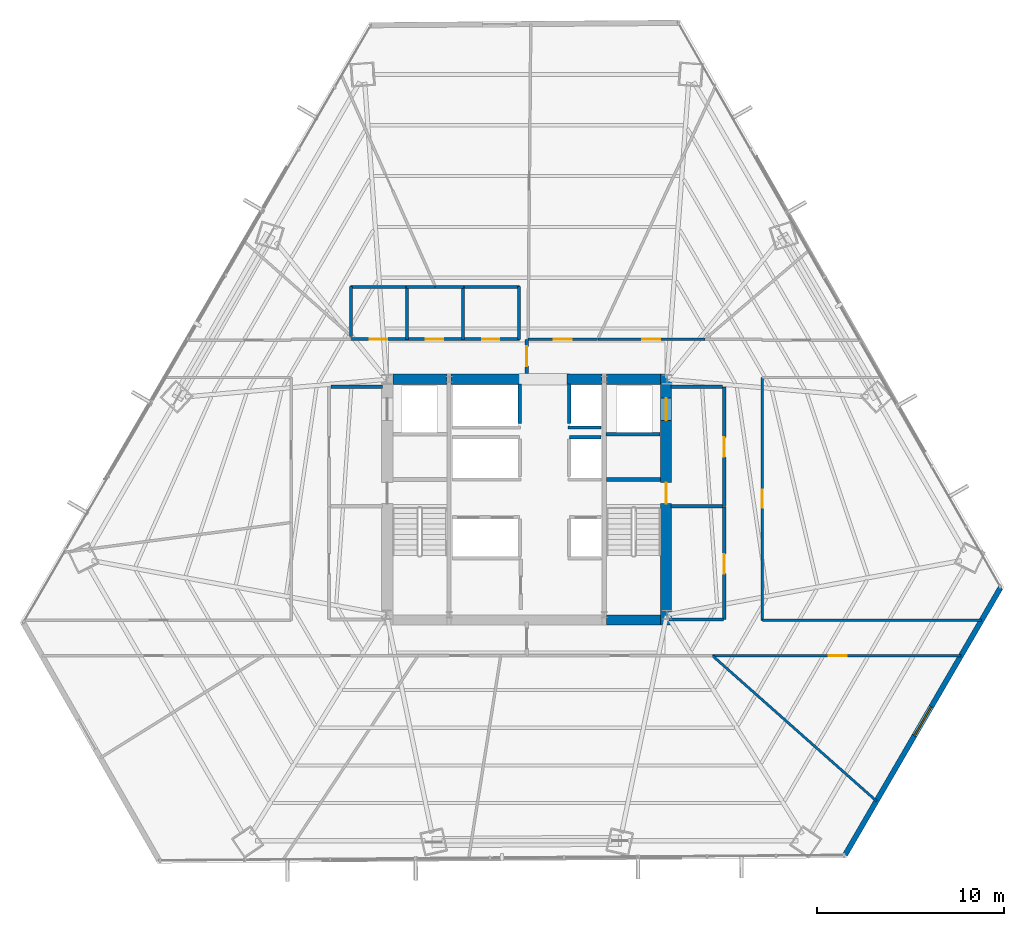
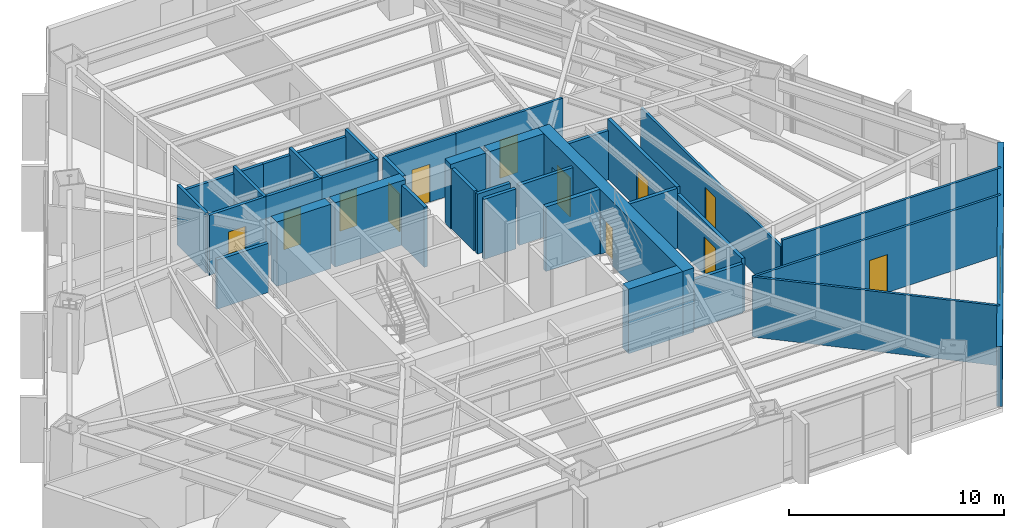
# One storey, part 30 of 34: 37 walls, 12 doors, 1 window, 13 openings.
"""IFC4 building model written with IfcOpenShell, lengths in metres."""

import ifcopenshell
import ifcopenshell.guid

model = None  # the IFC model being written
_history = None  # IfcOwnerHistory: only IFC2X3 demands one
_inside = {}  # id of a spatial element -> (the spatial element, [elements in it])
_under = {}  # id of a project, library or spatial element -> (it, [spatial elements below it])
_declared = {}  # id of a project -> (the project, [libraries it declares])
_typed = {}  # id of a type object -> (the type object, [elements of that type])
_made_of = {}  # id of a material, layer set ... -> (it, [elements and type objects made of it])


def new_model(schema):
    """Start an empty IFC model of exactly this schema.

    Asked for "IFC4X3", IfcOpenShell would pick the latest addendum, in which some entities
    have other attributes; the version numbers below select the first issue.
    IFC2X3 requires an IfcOwnerHistory on every rooted entity: one is made here for all.
    """
    global model, _history
    if schema == "IFC4X3":
        model = ifcopenshell.file(schema_version=(4, 3, 0, 0))
    else:
        model = ifcopenshell.file(schema=schema)
    _inside.clear()
    _under.clear()
    _declared.clear()
    _typed.clear()
    _made_of.clear()
    _history = None
    if model.schema == "IFC2X3":
        org = make("IfcOrganization", Name="unknown")
        user = make(
            "IfcPersonAndOrganization",
            ThePerson=make("IfcPerson", FamilyName="unknown"),
            TheOrganization=org,
        )
        app = make(
            "IfcApplication",
            ApplicationDeveloper=org,
            Version="unknown",
            ApplicationFullName="unknown",
            ApplicationIdentifier="unknown",
        )
        _history = make(
            "IfcOwnerHistory",
            OwningUser=user,
            OwningApplication=app,
            ChangeAction="ADDED",
            CreationDate=0,
        )
    return model


def make(cls, **values):
    """One entity of the class cls with the attributes given. An attribute that is None is left unset."""
    return model.create_entity(
        cls, **{name: value for name, value in values.items() if value is not None}
    )


def rooted(cls, **values):
    """An entity with a GlobalId (a new one), such as an element, a storey or a relation."""
    return make(cls, GlobalId=ifcopenshell.guid.new(), OwnerHistory=_history, **values)


def si_unit(unit_type, name, prefix=None):
    """IfcSIUnit, for example si_unit("LENGTHUNIT", "METRE", prefix="MILLI")."""
    return make("IfcSIUnit", UnitType=unit_type, Prefix=prefix, Name=name)


def assignment(units):
    """IfcUnitAssignment: the units of a project."""
    return None if units is None else make("IfcUnitAssignment", Units=units)


def point(xyz):
    """IfcCartesianPoint."""
    return None if xyz is None else make("IfcCartesianPoint", Coordinates=xyz)


def direction(xyz):
    """IfcDirection."""
    return None if xyz is None else make("IfcDirection", DirectionRatios=xyz)


def frame(location, z_axis=None, x_axis=None):
    """IfcAxis2Placement3D, a coordinate frame: its origin and axes. An axis left out is left unset."""
    return make(
        "IfcAxis2Placement3D",
        Location=point(location),
        Axis=direction(z_axis),
        RefDirection=direction(x_axis),
    )


def frame_2d(location, x_axis=None):
    """IfcAxis2Placement2D, a coordinate frame in the plane: its origin and x axis."""
    return make(
        "IfcAxis2Placement2D", Location=point(location), RefDirection=direction(x_axis)
    )


def origin():
    """The frame at (0, 0, 0) with its axes left unset."""
    return frame((0.0, 0.0, 0.0))


def place(relative_to, where):
    """IfcLocalPlacement: puts the frame where relative to a parent placement (None: the world)."""
    return make(
        "IfcLocalPlacement", PlacementRelTo=relative_to, RelativePlacement=where
    )


def context(
    kind, dimensions, precision=None, world=None, true_north=None, identifier=None
):
    """IfcGeometricRepresentationContext, for example the 3D "Model" context."""
    return make(
        "IfcGeometricRepresentationContext",
        ContextIdentifier=identifier,
        ContextType=kind,
        CoordinateSpaceDimension=dimensions,
        Precision=precision,
        WorldCoordinateSystem=world,
        TrueNorth=true_north,
    )


def subcontext(parent, identifier, kind, view, scale=None):
    """IfcGeometricRepresentationSubContext, for example "Body" below "Model"."""
    return make(
        "IfcGeometricRepresentationSubContext",
        ContextIdentifier=identifier,
        ContextType=kind,
        ParentContext=parent,
        TargetScale=scale,
        TargetView=view,
    )


def project(units=None, contexts=None):
    """IfcProject with its units and contexts."""
    return rooted(
        "IfcProject",
        Name="project",
        RepresentationContexts=contexts,
        UnitsInContext=assignment(units),
    )


def spatial(cls, under=None, at=None, **own):
    """A site, building, storey or space (cls), placed at a placement, below another one or the project."""
    s = rooted(cls, ObjectPlacement=at, **own)
    if under is not None:
        _under.setdefault(under.id(), (under, []))[1].append(s)
    return s


def profile(cls, at=None, kind="AREA", **sizes):
    """A parametric profile (cls). Its sizes go by their IFC names, for example OverallWidth=200.0."""
    return make(cls, ProfileType=kind, Position=at, **sizes)


def rectangle(**sizes):
    """IfcRectangleProfileDef."""
    return profile("IfcRectangleProfileDef", **sizes)


def extrude(swept, where, along, depth):
    """IfcExtrudedAreaSolid: the profile swept, set in the frame where, extruded along a direction by depth."""
    return make(
        "IfcExtrudedAreaSolid",
        SweptArea=swept,
        Position=where,
        ExtrudedDirection=direction(along),
        Depth=depth,
    )


def shape(context_of_items, identifier, shape_type, items):
    """IfcShapeRepresentation: the items that make up one representation, for example the "Body"."""
    return make(
        "IfcShapeRepresentation",
        ContextOfItems=context_of_items,
        RepresentationIdentifier=identifier,
        RepresentationType=shape_type,
        Items=items,
    )


def material(Name=None, Category=None):
    """IfcMaterial."""
    return make("IfcMaterial", Name=Name, Category=Category)


def layer(
    of_material, thickness, ventilated=None, Name=None, Category=None, Priority=None
):
    """IfcMaterialLayer: one layer of a wall or slab, of a material (None: an air gap)."""
    return make(
        "IfcMaterialLayer",
        Material=of_material,
        LayerThickness=thickness,
        IsVentilated=ventilated,
        Name=Name,
        Category=Category,
        Priority=Priority,
    )


def layer_set(layers, Name=None):
    """IfcMaterialLayerSet."""
    return make("IfcMaterialLayerSet", MaterialLayers=layers, LayerSetName=Name)


def made_of(thing, what):
    """Note that an element or type object is made of a material, layer set ...; save() writes the relation."""
    if what is not None:
        _made_of.setdefault(what.id(), (what, []))[1].append(thing)
    return thing


def type_object(cls, material=None, **own):
    """A type object (cls), such as IfcWallType, which elements share."""
    return made_of(rooted(cls, **own), material)


def element(
    cls,
    number,
    at=None,
    inside=None,
    cuts=None,
    type_object=None,
    material=None,
    context=None,
    identifier="Body",
    shape_type=None,
    held_by="IfcProductDefinitionShape",
    body=None,
    shapes=None,
    **own,
):
    """One element of the class cls, such as IfcWall. Its Tag is "e" and its number.

    at: its placement. inside: the storey or other place that contains it. cuts: it is an
    opening in that element (IfcRelVoidsElement). A single representation is given by context,
    identifier, shape_type and body (its items); several are given by shapes. held_by: the class
    of the entity that holds the representations. save() writes the other relations.
    """
    e = rooted(cls, Tag="e%d" % number, ObjectPlacement=at, **own)
    if body is not None:
        shapes = [shape(context, identifier, shape_type, body)]
    if shapes is not None:
        e.Representation = make(held_by, Representations=shapes)
    if inside is not None:
        _inside.setdefault(inside.id(), (inside, []))[1].append(e)
    if cuts is not None:
        rooted(
            "IfcRelVoidsElement", RelatingBuildingElement=cuts, RelatedOpeningElement=e
        )
    if type_object is not None:
        _typed.setdefault(type_object.id(), (type_object, []))[1].append(e)
    return made_of(e, material)


def fill(opening, filler):
    """IfcRelFillsElement: the door or window that sits in an opening."""
    return rooted(
        "IfcRelFillsElement",
        RelatingOpeningElement=opening,
        RelatedBuildingElement=filler,
    )


def aggregate(whole, parts):
    """IfcRelAggregates: a whole, such as a stair, and the parts it consists of."""
    return rooted("IfcRelAggregates", RelatingObject=whole, RelatedObjects=parts)


def save(model, path):
    """Write the relations noted so far, then the file.

    IfcRelAggregates (storeys below a building ...), IfcRelContainedInSpatialStructure (elements
    in a storey), IfcRelDefinesByType, IfcRelAssociatesMaterial and IfcRelDeclares: one each for
    every whole, place, type object, material and project.
    """
    for whole, parts in _under.values():
        aggregate(whole, parts)
    for where, things in _inside.values():
        rooted(
            "IfcRelContainedInSpatialStructure",
            RelatedElements=things,
            RelatingStructure=where,
        )
    for kind, things in _typed.values():
        rooted("IfcRelDefinesByType", RelatedObjects=things, RelatingType=kind)
    for what, things in _made_of.values():
        rooted("IfcRelAssociatesMaterial", RelatedObjects=things, RelatingMaterial=what)
    for by, libraries in _declared.values():
        rooted("IfcRelDeclares", RelatingContext=by, RelatedDefinitions=libraries)
    model.write(path)


model = new_model("IFC4")

# Units and contexts
model_context = context("Model", 3, precision=1e-05, world=origin(), true_north=direction((0.0, 1.0)))
body_context = subcontext(model_context, "Body", "Model", "MODEL_VIEW")
ifc_project = project(units=[si_unit("LENGTHUNIT", "METRE"), si_unit("AREAUNIT", "SQUARE_METRE"), si_unit("VOLUMEUNIT", "CUBIC_METRE"), si_unit("PLANEANGLEUNIT", "RADIAN"), si_unit("MASSUNIT", "GRAM", prefix="KILO")], contexts=[model_context])

# Site, building, storey
site_placement = place(None, origin())
site = spatial("IfcSite", under=ifc_project, at=site_placement, CompositionType="ELEMENT")
building_placement = place(site_placement, origin())
building = spatial("IfcBuilding", under=site, at=building_placement, Name="Caelisora Broadcast Tower", CompositionType="ELEMENT")
storey_placement = place(building_placement, frame((0.0, 0.0, 49.5)))
storey = spatial("IfcBuildingStorey", under=building, at=storey_placement, Name="L12", CompositionType="ELEMENT", Elevation=49.5)

# Wall, openings, doors
ifc_material_1 = material(Name="Concrete 65 MPa (AS 3600 S65)", Category="concrete")
ifc_layer_1 = layer(ifc_material_1, 0.60009765625, Name="Concrete 65 MPa (AS 3600 S65)")
ifc_layer_set_1 = layer_set([ifc_layer_1], Name="Concrete 65 MPa (AS 3600 S65)")
wall_type_1 = type_object("IfcWallType", Name="CW1", PredefinedType="SHEAR", material=ifc_layer_set_1)
wall_1_placement = place(storey_placement, frame((45.4599609375, 16.85009765625, 0.0), z_axis=(0.0, 0.0, 1.0), x_axis=(0.0, 1.0, 0.0)))
wall_1 = element("IfcWall", 1, at=wall_1_placement, inside=storey, type_object=wall_type_1, Name="L12 core shear wall CW1", PredefinedType="SHEAR", context=body_context, shape_type="SweptSolid", body=[
    extrude(rectangle(XDim=13.4248046875, YDim=0.60009765625, at=frame_2d((6.71240234375, 0.0))), origin(), (0.0, 0.0, 1.0), 3.64990234375),
])
opening_1_placement = place(wall_1_placement, frame((6.5, 0.0, 0.0)))
opening_1 = element("IfcOpeningElement", 2, at=opening_1_placement, cuts=wall_1, Name="Opening FD04", PredefinedType="OPENING", context=body_context, shape_type="SweptSolid", body=[
    extrude(rectangle(XDim=1.1201171875, YDim=2.14990234375, at=frame_2d((0.56005859375, 1.074951171875))), frame((0.0, 0.31201171875, 0.0), z_axis=(0.0, -1.0, 0.0), x_axis=(1.0, 0.0, 0.0)), (0.0, 0.0, 1.0), 0.6240234375),
])
opening_2_placement = place(wall_1_placement, frame((10.949951171875, 0.0, 0.0)))
opening_2 = element("IfcOpeningElement", 3, at=opening_2_placement, cuts=wall_1, Name="Opening LD04", PredefinedType="OPENING", context=body_context, shape_type="SweptSolid", body=[
    extrude(rectangle(XDim=1.199951171875, YDim=2.199951171875, at=frame_2d((0.60009765625, 1.10009765625))), frame((0.0, 0.31201171875, 0.0), z_axis=(0.0, -1.0, 0.0), x_axis=(1.0, 0.0, 0.0)), (0.0, 0.0, 1.0), 0.6240234375),
])
ifc_material_2 = material(Name="Pressurised Fire-Isolated Stair Door", Category="steel")
door_type_1 = type_object("IfcDoorType", Name="FD04", OperationType="NOTDEFINED", PredefinedType="DOOR", material=ifc_material_2)
door_1_placement = place(opening_1_placement, origin())
door_1 = element("IfcDoor", 4, at=door_1_placement, inside=storey, type_object=door_type_1, Name="L12 door FD04 (L12-DR-ST2)", OperationType="SINGLE_SWING_RIGHT", OverallHeight=2.14990234375, OverallWidth=1.1201171875, PredefinedType="DOOR", context=body_context, shape_type="SweptSolid", body=[
    extrude(rectangle(XDim=1.1201171875, YDim=2.14990234375, at=frame_2d((0.56005859375, 1.074951171875))), frame((0.0, 0.02490234375, 0.0), z_axis=(0.0, -1.0, 0.0), x_axis=(1.0, 0.0, 0.0)), (0.0, 0.0, 1.0), 0.050048828125),
])
fill(opening_1, door_1)
ifc_material_3 = material(Name="Emergency Firefighting Lift Sliding Landing Door", Category="steel")
door_type_2 = type_object("IfcDoorType", Name="LD04", OperationType="NOTDEFINED", PredefinedType="DOOR", material=ifc_material_3)
door_2_placement = place(opening_2_placement, origin())
door_2 = element("IfcDoor", 5, at=door_2_placement, inside=storey, type_object=door_type_2, Name="L12 door LD04 (L12-LD-FFL2)", OperationType="SLIDING_TO_RIGHT", OverallHeight=2.199951171875, OverallWidth=1.199951171875, PredefinedType="DOOR", context=body_context, shape_type="SweptSolid", body=[
    extrude(rectangle(XDim=1.199951171875, YDim=2.199951171875, at=frame_2d((0.60009765625, 1.10009765625))), frame((0.0, 0.02490234375, 0.0), z_axis=(0.0, -1.0, 0.0), x_axis=(1.0, 0.0, 0.0)), (0.0, 0.0, 1.0), 0.050048828125),
])
fill(opening_2, door_2)

# Walls
ifc_layer_2 = layer(ifc_material_1, 0.550048828125, Name="Concrete 65 MPa (AS 3600 S65)")
ifc_layer_set_2 = layer_set([ifc_layer_2], Name="Concrete 65 MPa (AS 3600 S65)")
wall_type_2 = type_object("IfcWallType", Name="CW4", PredefinedType="SHEAR", material=ifc_layer_set_2)
for number, where, z_axis, x_axis, name in (
    (6, (42.260009765625, 17.125, 0.0), (0.0, 0.0, 1.0), (1.0, 0.0, 0.0), "L12 core shear wall CW4"),
    (7, (30.840087890625, 30.0, 0.0), (0.0, 0.0, 1.0), (1.0, 0.0, 0.0), "L12 core shear wall CW4"),
):
    element("IfcWall", number, at=place(storey_placement, frame(where, z_axis=z_axis, x_axis=x_axis)), inside=storey, type_object=wall_type_2, Name=name, PredefinedType="SHEAR", context=body_context, shape_type="SweptSolid", body=[
        extrude(rectangle(XDim=2.89990234375, YDim=0.550048828125, at=frame_2d((1.449951171875, 0.0))), origin(), (0.0, 0.0, 1.0), 3.64990234375),
    ])
wall_2_placement = place(storey_placement, frame((33.9599609375, 30.0, 0.0), z_axis=(0.0, 0.0, 1.0), x_axis=(1.0, 0.0, 0.0)))
element("IfcWall", 8, at=wall_2_placement, inside=storey, type_object=wall_type_2, Name="L12 core shear wall CW4", PredefinedType="SHEAR", context=body_context, shape_type="SweptSolid", body=[
    extrude(rectangle(XDim=3.780029296875, YDim=0.550048828125, at=frame_2d((1.89013671875, 0.0))), origin(), (0.0, 0.0, 1.0), 3.64990234375),
])
wall_3_placement = place(storey_placement, frame((40.159912109375, 30.0, 0.0), z_axis=(0.0, 0.0, 1.0), x_axis=(1.0, 0.0, 0.0)))
element("IfcWall", 9, at=wall_3_placement, inside=storey, type_object=wall_type_2, Name="L12 core shear wall CW4", PredefinedType="SHEAR", context=body_context, shape_type="SweptSolid", body=[
    extrude(rectangle(XDim=1.880126953125, YDim=0.550048828125, at=frame_2d((0.93994140625, 0.0))), origin(), (0.0, 0.0, 1.0), 3.64990234375),
])
wall_4_placement = place(storey_placement, frame((42.260009765625, 30.0, 0.0), z_axis=(0.0, 0.0, 1.0), x_axis=(1.0, 0.0, 0.0)))
element("IfcWall", 10, at=wall_4_placement, inside=storey, type_object=wall_type_2, Name="L12 core shear wall CW4", PredefinedType="SHEAR", context=body_context, shape_type="SweptSolid", body=[
    extrude(rectangle(XDim=2.89990234375, YDim=0.550048828125, at=frame_2d((1.449951171875, 0.0))), origin(), (0.0, 0.0, 1.0), 3.64990234375),
])
ifc_material_4 = material(Name="Concrete 50 MPa (AS 3600 S50)", Category="concrete")
ifc_layer_3 = layer(ifc_material_4, 0.219970703125, Name="Concrete 50 MPa (AS 3600 S50)")
ifc_layer_set_3 = layer_set([ifc_layer_3], Name="Concrete 50 MPa (AS 3600 S50)")
wall_type_3 = type_object("IfcWallType", Name="CW7", PredefinedType="SHEAR", material=ifc_layer_set_3)
wall_5_placement = place(storey_placement, frame((42.260009765625, 24.639892578125, 0.0), z_axis=(0.0, 0.0, 1.0), x_axis=(1.0, 0.0, 0.0)))
element("IfcWall", 11, at=wall_5_placement, inside=storey, type_object=wall_type_3, Name="L12 core shear wall CW7", PredefinedType="SHEAR", context=body_context, shape_type="SweptSolid", body=[
    extrude(rectangle(XDim=2.89990234375, YDim=0.219970703125, at=frame_2d((1.449951171875, 0.0))), origin(), (0.0, 0.0, 1.0), 3.64990234375),
])

# Wall, opening, window
ifc_material_5 = material(Name="Insulated Terracotta Spandrel Wall System", Category="masonry")
ifc_layer_4 = layer(ifc_material_5, 0.280029296875, Name="Insulated Terracotta Spandrel Wall System")
ifc_layer_set_4 = layer_set([ifc_layer_4], Name="Insulated Terracotta Spandrel Wall System")
wall_type_4 = type_object("IfcWallType", Name="EW1", PredefinedType="STANDARD", material=ifc_layer_set_4)
wall_6_placement = place(storey_placement, frame((63.35400390625, 18.84716796875, 0.0), z_axis=(0.0, 0.0, 1.0), x_axis=(-0.502874914108, -0.864359196608, 0.0)))
wall_6 = element("IfcWall", 12, at=wall_6_placement, inside=storey, type_object=wall_type_4, Name="L12 exterior envelope wall EW1", PredefinedType="STANDARD", context=body_context, shape_type="SweptSolid", body=[
    extrude(rectangle(XDim=16.524658203125, YDim=0.280029296875, at=frame_2d((8.26220703125, 0.0))), origin(), (0.0, 0.0, 1.0), 3.39990234375),
])
opening_3_placement = place(wall_6_placement, frame((7.360107421875, 0.0, 0.89990234375)))
opening_3 = element("IfcOpeningElement", 13, at=opening_3_placement, cuts=wall_6, Name="Opening W01", PredefinedType="OPENING", context=body_context, shape_type="SweptSolid", body=[
    extrude(rectangle(XDim=1.800048828125, YDim=1.800048828125, at=frame_2d((0.89990234375, 0.89990234375))), frame((0.0, 0.152099609375, 0.0), z_axis=(0.0, -1.0, 0.0), x_axis=(1.0, 0.0, 0.0)), (0.0, 0.0, 1.0), 0.303955078125),
])
ifc_material_6 = material(Name="Double Glazed Terracotta-Framed Vision Window", Category="glass")
window_type = type_object("IfcWindowType", Name="W01", PartitioningType="SINGLE_PANEL", PredefinedType="WINDOW", material=ifc_material_6)
window_placement = place(opening_3_placement, origin())
window = element("IfcWindow", 14, at=window_placement, inside=storey, type_object=window_type, Name="L12 window W01 (L12-WN-CH0)", OverallHeight=1.800048828125, OverallWidth=1.800048828125, PartitioningType="SINGLE_PANEL", PredefinedType="WINDOW", context=body_context, shape_type="SweptSolid", body=[
    extrude(rectangle(XDim=1.800048828125, YDim=1.800048828125, at=frame_2d((0.89990234375, 0.89990234375))), frame((0.0, 0.030029296875, 0.0), z_axis=(0.0, -1.0, 0.0), x_axis=(1.0, 0.0, 0.0)), (0.0, 0.0, 1.0), 0.06005859375),
])
fill(opening_3, window)

# Walls
ifc_material_7 = material(Name="Fire-Rated Gypsum Shaft and Compartment Wall", Category="gypsum")
ifc_layer_5 = layer(ifc_material_7, 0.179931640625, Name="Fire-Rated Gypsum Shaft and Compartment Wall")
ifc_layer_set_5 = layer_set([ifc_layer_5], Name="Fire-Rated Gypsum Shaft and Compartment Wall")
wall_type_5 = type_object("IfcWallType", Name="PW2", PredefinedType="PARTITIONING", material=ifc_layer_set_5)
wall_7_placement = place(storey_placement, frame((40.280029296875, 26.89990234375, 0.0), z_axis=(0.0, 0.0, 1.0), x_axis=(1.0, 0.0, 0.0)))
element("IfcWall", 15, at=wall_7_placement, inside=storey, type_object=wall_type_5, Name="L12 fire compartment wall PW2", PredefinedType="PARTITIONING", context=body_context, shape_type="SweptSolid", body=[
    extrude(rectangle(XDim=1.699951171875, YDim=0.179931640625, at=frame_2d((0.85009765625, 0.0))), origin(), (0.0, 0.0, 1.0), 3.39990234375),
])
wall_8_placement = place(storey_placement, frame((40.219970703125, 27.419921875, 0.0), z_axis=(0.0, 0.0, 1.0), x_axis=(1.0, 0.0, 0.0)))
element("IfcWall", 16, at=wall_8_placement, inside=storey, type_object=wall_type_5, Name="L12 fire compartment wall PW2", PredefinedType="PARTITIONING", context=body_context, shape_type="SweptSolid", body=[
    extrude(rectangle(XDim=1.760009765625, YDim=0.179931640625, at=frame_2d((0.8798828125, 0.0))), origin(), (0.0, 0.0, 1.0), 3.39990234375),
])
for number, where, z_axis, x_axis, name in (
    (17, (37.6201171875, 27.639892578125, 0.0), (0.0, 0.0, 1.0), (0.0, 1.0, 0.0), "L12 fire compartment wall PW2"),
    (18, (40.280029296875, 27.639892578125, 0.0), (0.0, 0.0, 1.0), (0.0, 1.0, 0.0), "L12 fire compartment wall PW2"),
):
    element("IfcWall", number, at=place(storey_placement, frame(where, z_axis=z_axis, x_axis=x_axis)), inside=storey, type_object=wall_type_5, Name=name, PredefinedType="PARTITIONING", context=body_context, shape_type="SweptSolid", body=[
        extrude(rectangle(XDim=2.110107421875, YDim=0.179931640625, at=frame_2d((1.05517578125, 0.0))), origin(), (0.0, 0.0, 1.0), 3.39990234375),
    ])
wall_9_placement = place(storey_placement, frame((27.52001953125, 29.60009765625, 0.0), z_axis=(0.0, 0.0, 1.0), x_axis=(1.0, 0.0, 0.0)))
element("IfcWall", 19, at=wall_9_placement, inside=storey, type_object=wall_type_5, Name="L12 fire compartment wall PW2", PredefinedType="PARTITIONING", context=body_context, shape_type="SweptSolid", body=[
    extrude(rectangle(XDim=2.760009765625, YDim=0.179931640625, at=frame_2d((1.3798828125, 0.0))), origin(), (0.0, 0.0, 1.0), 2.78271484375),
])

# Wall, opening, door
wall_10_placement = place(storey_placement, frame((48.580078125, 23.199951171875, 0.0), z_axis=(0.0, 0.0, 1.0), x_axis=(0.0, 1.0, 0.0)))
wall_10 = element("IfcWall", 20, at=wall_10_placement, inside=storey, type_object=wall_type_5, Name="L12 fire compartment wall PW2", PredefinedType="PARTITIONING", context=body_context, shape_type="SweptSolid", body=[
    extrude(rectangle(XDim=6.400146484375, YDim=0.179931640625, at=frame_2d((3.2001953125, 0.0))), origin(), (0.0, 0.0, 1.0), 3.39990234375),
])
opening_4_placement = place(wall_10_placement, frame((2.64990234375, 0.0, 0.0)))
opening_4 = element("IfcOpeningElement", 21, at=opening_4_placement, cuts=wall_10, Name="Opening FD02", PredefinedType="OPENING", context=body_context, shape_type="SweptSolid", body=[
    extrude(rectangle(XDim=1.050048828125, YDim=2.14990234375, at=frame_2d((0.52490234375, 1.074951171875))), frame((0.0, 0.10205078125, 0.0), z_axis=(0.0, -1.0, 0.0), x_axis=(1.0, 0.0, 0.0)), (0.0, 0.0, 1.0), 0.203857421875),
])
ifc_material_8 = material(Name="Single-Leaf Steel Fire Lobby Door", Category="steel")
door_type_3 = type_object("IfcDoorType", Name="FD02", OperationType="NOTDEFINED", PredefinedType="DOOR", material=ifc_material_8)
door_3_placement = place(opening_4_placement, origin())
door_3 = element("IfcDoor", 22, at=door_3_placement, inside=storey, type_object=door_type_3, Name="L12 door FD02 (L12-DR-P04D1)", OperationType="SINGLE_SWING_RIGHT", OverallHeight=2.14990234375, OverallWidth=1.050048828125, PredefinedType="DOOR", context=body_context, shape_type="SweptSolid", body=[
    extrude(rectangle(XDim=1.050048828125, YDim=2.14990234375, at=frame_2d((0.52490234375, 1.074951171875))), frame((0.0, 0.02490234375, 0.0), z_axis=(0.0, -1.0, 0.0), x_axis=(1.0, 0.0, 0.0)), (0.0, 0.0, 1.0), 0.050048828125),
])
fill(opening_4, door_3)

# Walls
wall_11_placement = place(storey_placement, frame((45.719970703125, 23.199951171875, 0.0), z_axis=(0.0, 0.0, 1.0), x_axis=(1.0, 0.0, 0.0)))
element("IfcWall", 23, at=wall_11_placement, inside=storey, type_object=wall_type_5, Name="L12 fire compartment wall PW2", PredefinedType="PARTITIONING", context=body_context, shape_type="SweptSolid", body=[
    extrude(rectangle(XDim=2.760009765625, YDim=0.179931640625, at=frame_2d((1.3798828125, 0.0))), origin(), (0.0, 0.0, 1.0), 3.39990234375),
])
wall_12_placement = place(storey_placement, frame((45.719970703125, 29.60009765625, 0.0), z_axis=(0.0, 0.0, 1.0), x_axis=(1.0, 0.0, 0.0)))
element("IfcWall", 24, at=wall_12_placement, inside=storey, type_object=wall_type_5, Name="L12 fire compartment wall PW2", PredefinedType="PARTITIONING", context=body_context, shape_type="SweptSolid", body=[
    extrude(rectangle(XDim=2.760009765625, YDim=0.179931640625, at=frame_2d((1.3798828125, 0.0))), origin(), (0.0, 0.0, 1.0), 2.78271484375),
])
wall_13_placement = place(storey_placement, frame((42.239990234375, 27.070068359375, 0.0), z_axis=(0.0, 0.0, 1.0), x_axis=(1.0, 0.0, 0.0)))
element("IfcWall", 25, at=wall_13_placement, inside=storey, type_object=wall_type_5, Name="L12 fire compartment wall PW2", PredefinedType="PARTITIONING", context=body_context, shape_type="SweptSolid", body=[
    extrude(rectangle(XDim=2.89990234375, YDim=0.179931640625, at=frame_2d((1.449951171875, 0.0))), origin(), (0.0, 0.0, 1.0), 3.39990234375),
])

# Wall, opening, door
wall_14_placement = place(storey_placement, frame((48.580078125, 17.14990234375, 0.0), z_axis=(0.0, 0.0, 1.0), x_axis=(0.0, 1.0, 0.0)))
wall_14 = element("IfcWall", 26, at=wall_14_placement, inside=storey, type_object=wall_type_5, Name="L12 fire compartment wall PW2", PredefinedType="PARTITIONING", context=body_context, shape_type="SweptSolid", body=[
    extrude(rectangle(XDim=6.030029296875, YDim=0.179931640625, at=frame_2d((3.01513671875, 0.0))), origin(), (0.0, 0.0, 1.0), 3.0263671875),
])
opening_5_placement = place(wall_14_placement, frame((2.449951171875, 0.0, 0.0)))
opening_5 = element("IfcOpeningElement", 27, at=opening_5_placement, cuts=wall_14, Name="Opening FD02", PredefinedType="OPENING", context=body_context, shape_type="SweptSolid", body=[
    extrude(rectangle(XDim=1.050048828125, YDim=2.14990234375, at=frame_2d((0.52490234375, 1.074951171875))), frame((0.0, 0.10205078125, 0.0), z_axis=(0.0, -1.0, 0.0), x_axis=(1.0, 0.0, 0.0)), (0.0, 0.0, 1.0), 0.203857421875),
])
door_4_placement = place(opening_5_placement, origin())
door_4 = element("IfcDoor", 28, at=door_4_placement, inside=storey, type_object=door_type_3, Name="L12 door FD02 (L12-DR-P14D1)", OperationType="SINGLE_SWING_LEFT", OverallHeight=2.14990234375, OverallWidth=1.050048828125, PredefinedType="DOOR", context=body_context, shape_type="SweptSolid", body=[
    extrude(rectangle(XDim=1.050048828125, YDim=2.14990234375, at=frame_2d((0.52490234375, 1.074951171875))), frame((0.0, 0.02490234375, 0.0), z_axis=(0.0, -1.0, 0.0), x_axis=(1.0, 0.0, 0.0)), (0.0, 0.0, 1.0), 0.050048828125),
])
fill(opening_5, door_4)

# Wall
wall_15_placement = place(storey_placement, frame((45.6201171875, 17.14990234375, 0.0), z_axis=(0.0, 0.0, 1.0), x_axis=(1.0, 0.0, 0.0)))
element("IfcWall", 29, at=wall_15_placement, inside=storey, type_object=wall_type_5, Name="L12 fire compartment wall PW2", PredefinedType="PARTITIONING", context=body_context, shape_type="SweptSolid", body=[
    extrude(rectangle(XDim=2.89990234375, YDim=0.179931640625, at=frame_2d((1.449951171875, 0.0))), origin(), (0.0, 0.0, 1.0), 2.78271484375),
])

# Wall, opening, door
wall_16_placement = place(storey_placement, frame((38.0, 30.320068359375, 0.0), z_axis=(0.0, 0.0, 1.0), x_axis=(0.0, 1.0, 0.0)))
wall_16 = element("IfcWall", 30, at=wall_16_placement, inside=storey, type_object=wall_type_5, Name="L12 fire compartment wall PW2", PredefinedType="PARTITIONING", context=body_context, shape_type="SweptSolid", body=[
    extrude(rectangle(XDim=1.824951171875, YDim=0.179931640625, at=frame_2d((0.91259765625, 0.0))), origin(), (0.0, 0.0, 1.0), 3.39990234375),
])
opening_6_placement = place(wall_16_placement, frame((0.387939453125, 0.0, 0.0)))
opening_6 = element("IfcOpeningElement", 31, at=opening_6_placement, cuts=wall_16, Name="Opening FD02", PredefinedType="OPENING", context=body_context, shape_type="SweptSolid", body=[
    extrude(rectangle(XDim=1.050048828125, YDim=2.14990234375, at=frame_2d((0.52490234375, 1.074951171875))), frame((0.0, 0.10205078125, 0.0), z_axis=(0.0, -1.0, 0.0), x_axis=(1.0, 0.0, 0.0)), (0.0, 0.0, 1.0), 0.203857421875),
])
door_5_placement = place(opening_6_placement, origin())
door_5 = element("IfcDoor", 32, at=door_5_placement, inside=storey, type_object=door_type_3, Name="L12 door FD02 (L12-DR-P56D1)", OperationType="SINGLE_SWING_RIGHT", OverallHeight=2.14990234375, OverallWidth=1.050048828125, PredefinedType="DOOR", context=body_context, shape_type="SweptSolid", body=[
    extrude(rectangle(XDim=1.050048828125, YDim=2.14990234375, at=frame_2d((0.52490234375, 1.074951171875))), frame((0.0, 0.02490234375, 0.0), z_axis=(0.0, -1.0, 0.0), x_axis=(1.0, 0.0, 0.0)), (0.0, 0.0, 1.0), 0.050048828125),
])
fill(opening_6, door_5)

ifc_material_9 = material(Name="Acoustic Steel-Stud Plasterboard Partition", Category="gypsum")
ifc_layer_6 = layer(ifc_material_9, 0.1298828125, Name="Acoustic Steel-Stud Plasterboard Partition")
ifc_layer_set_6 = layer_set([ifc_layer_6], Name="Acoustic Steel-Stud Plasterboard Partition")
wall_type_6 = type_object("IfcWallType", Name="PW3", PredefinedType="PARTITIONING", material=ifc_layer_set_6)
wall_17_placement = place(storey_placement, frame((47.955078125, 15.199951171875, 0.0), z_axis=(0.0, 0.0, 1.0), x_axis=(1.0, 0.0, 0.0)))
wall_17 = element("IfcWall", 33, at=wall_17_placement, inside=storey, type_object=wall_type_6, Name="L12 internal partition PW3", PredefinedType="PARTITIONING", context=body_context, shape_type="SweptSolid", body=[
    extrude(rectangle(XDim=13.28271484375, YDim=0.1298828125, at=frame_2d((6.641357421875, 0.0))), origin(), (0.0, 0.0, 1.0), 3.39990234375),
])
opening_7_placement = place(wall_17_placement, frame((6.218017578125, 0.0, 0.0)))
opening_7 = element("IfcOpeningElement", 34, at=opening_7_placement, cuts=wall_17, Name="Opening D01", PredefinedType="OPENING", context=body_context, shape_type="SweptSolid", body=[
    extrude(rectangle(XDim=0.9599609375, YDim=2.14990234375, at=frame_2d((0.47998046875, 1.074951171875))), frame((0.0, 0.076904296875, 0.0), z_axis=(0.0, -1.0, 0.0), x_axis=(1.0, 0.0, 0.0)), (0.0, 0.0, 1.0), 0.15380859375),
])
ifc_material_10 = material(Name="Solid-Core Timber Acoustic Office Door", Category="wood")
door_type_4 = type_object("IfcDoorType", Name="D01", OperationType="NOTDEFINED", PredefinedType="DOOR", material=ifc_material_10)
door_6_placement = place(opening_7_placement, origin())
door_6 = element("IfcDoor", 35, at=door_6_placement, inside=storey, type_object=door_type_4, Name="L12 door D01 (L12-DR-P30D1)", OperationType="SINGLE_SWING_LEFT", OverallHeight=2.14990234375, OverallWidth=0.9599609375, PredefinedType="DOOR", context=body_context, shape_type="SweptSolid", body=[
    extrude(rectangle(XDim=0.9599609375, YDim=2.14990234375, at=frame_2d((0.47998046875, 1.074951171875))), frame((0.0, 0.02490234375, 0.0), z_axis=(0.0, -1.0, 0.0), x_axis=(1.0, 0.0, 0.0)), (0.0, 0.0, 1.0), 0.050048828125),
])
fill(opening_7, door_6)

wall_18_placement = place(storey_placement, frame((50.60009765625, 17.10498046875, 0.0), z_axis=(0.0, 0.0, 1.0), x_axis=(0.0, 1.0, 0.0)))
wall_18 = element("IfcWall", 36, at=wall_18_placement, inside=storey, type_object=wall_type_6, Name="L12 internal partition PW3", PredefinedType="PARTITIONING", context=body_context, shape_type="SweptSolid", body=[
    extrude(rectangle(XDim=12.989990234375, YDim=0.1298828125, at=frame_2d((6.4951171875, 0.0))), origin(), (0.0, 0.0, 1.0), 3.0263671875),
])
opening_8_placement = place(wall_18_placement, frame((6.014892578125, 0.0, 0.0)))
opening_8 = element("IfcOpeningElement", 37, at=opening_8_placement, cuts=wall_18, Name="Opening D01", PredefinedType="OPENING", context=body_context, shape_type="SweptSolid", body=[
    extrude(rectangle(XDim=0.9599609375, YDim=2.14990234375, at=frame_2d((0.47998046875, 1.074951171875))), frame((0.0, 0.076904296875, 0.0), z_axis=(0.0, -1.0, 0.0), x_axis=(1.0, 0.0, 0.0)), (0.0, 0.0, 1.0), 0.15380859375),
])
door_7_placement = place(opening_8_placement, origin())
door_7 = element("IfcDoor", 38, at=door_7_placement, inside=storey, type_object=door_type_4, Name="L12 door D01 (L12-DR-P32D1)", OperationType="SINGLE_SWING_RIGHT", OverallHeight=2.14990234375, OverallWidth=0.9599609375, PredefinedType="DOOR", context=body_context, shape_type="SweptSolid", body=[
    extrude(rectangle(XDim=0.9599609375, YDim=2.14990234375, at=frame_2d((0.47998046875, 1.074951171875))), frame((0.0, 0.02490234375, 0.0), z_axis=(0.0, -1.0, 0.0), x_axis=(1.0, 0.0, 0.0)), (0.0, 0.0, 1.0), 0.050048828125),
])
fill(opening_8, door_7)

# Walls
wall_19_placement = place(storey_placement, frame((62.34326171875, 17.10009765625, 0.0), z_axis=(0.0, 0.0, 1.0), x_axis=(-1.0, 0.0, 0.0)))
element("IfcWall", 39, at=wall_19_placement, inside=storey, type_object=wall_type_6, Name="L12 internal partition PW3", PredefinedType="PARTITIONING", context=body_context, shape_type="SweptSolid", body=[
    extrude(rectangle(XDim=11.73828125, YDim=0.1298828125, at=frame_2d((5.869140625, 0.0))), origin(), (0.0, 0.0, 1.0), 3.39990234375),
])
wall_20_placement = place(storey_placement, frame((47.9541015625, 15.197021484375, 0.0), z_axis=(0.0, 0.0, 1.0), x_axis=(0.74854707901, -0.663081646937, 0.0)))
element("IfcWall", 40, at=wall_20_placement, inside=storey, type_object=wall_type_6, Name="L12 internal partition PW3", PredefinedType="PARTITIONING", context=body_context, shape_type="SweptSolid", body=[
    extrude(rectangle(XDim=11.709228515625, YDim=0.1298828125, at=frame_2d((5.8544921875, 0.0))), origin(), (0.0, 0.0, 1.0), 3.39990234375),
])

# Wall, opening, door
wall_21_placement = place(storey_placement, frame((41.804931640625, 32.14990234375, 0.0), z_axis=(0.0, 0.0, 1.0), x_axis=(1.0, 0.0, 0.0)))
wall_21 = element("IfcWall", 41, at=wall_21_placement, inside=storey, type_object=wall_type_6, Name="L12 internal partition PW3", PredefinedType="PARTITIONING", context=body_context, shape_type="SweptSolid", body=[
    extrude(rectangle(XDim=5.72998046875, YDim=0.1298828125, at=frame_2d((2.864990234375, 0.0))), origin(), (0.0, 0.0, 1.0), 3.39990234375),
])
opening_9_placement = place(wall_21_placement, frame((2.385009765625, 0.0, 0.0)))
opening_9 = element("IfcOpeningElement", 42, at=opening_9_placement, cuts=wall_21, Name="Opening D01", PredefinedType="OPENING", context=body_context, shape_type="SweptSolid", body=[
    extrude(rectangle(XDim=0.9599609375, YDim=2.14990234375, at=frame_2d((0.47998046875, 1.074951171875))), frame((0.0, 0.076904296875, 0.0), z_axis=(0.0, -1.0, 0.0), x_axis=(1.0, 0.0, 0.0)), (0.0, 0.0, 1.0), 0.15380859375),
])
door_8_placement = place(opening_9_placement, origin())
door_8 = element("IfcDoor", 43, at=door_8_placement, inside=storey, type_object=door_type_4, Name="L12 door D01 (L12-DR-P47D1)", OperationType="SINGLE_SWING_RIGHT", OverallHeight=2.14990234375, OverallWidth=0.9599609375, PredefinedType="DOOR", context=body_context, shape_type="SweptSolid", body=[
    extrude(rectangle(XDim=0.9599609375, YDim=2.14990234375, at=frame_2d((0.47998046875, 1.074951171875))), frame((0.0, 0.02490234375, 0.0), z_axis=(0.0, -1.0, 0.0), x_axis=(1.0, 0.0, 0.0)), (0.0, 0.0, 1.0), 0.050048828125),
])
fill(opening_9, door_8)

wall_22_placement = place(storey_placement, frame((38.074951171875, 32.14990234375, 0.0), z_axis=(0.0, 0.0, 1.0), x_axis=(1.0, 0.0, 0.0)))
wall_22 = element("IfcWall", 44, at=wall_22_placement, inside=storey, type_object=wall_type_6, Name="L12 internal partition PW3", PredefinedType="PARTITIONING", context=body_context, shape_type="SweptSolid", body=[
    extrude(rectangle(XDim=3.719970703125, YDim=0.1298828125, at=frame_2d((1.85986328125, 0.0))), origin(), (0.0, 0.0, 1.0), 3.39990234375),
])
opening_10_placement = place(wall_22_placement, frame((1.3798828125, 0.0, 0.0)))
opening_10 = element("IfcOpeningElement", 45, at=opening_10_placement, cuts=wall_22, Name="Opening D01", PredefinedType="OPENING", context=body_context, shape_type="SweptSolid", body=[
    extrude(rectangle(XDim=0.9599609375, YDim=2.14990234375, at=frame_2d((0.47998046875, 1.074951171875))), frame((0.0, 0.076904296875, 0.0), z_axis=(0.0, -1.0, 0.0), x_axis=(1.0, 0.0, 0.0)), (0.0, 0.0, 1.0), 0.15380859375),
])
door_9_placement = place(opening_10_placement, origin())
door_9 = element("IfcDoor", 46, at=door_9_placement, inside=storey, type_object=door_type_4, Name="L12 door D01 (L12-DR-P52D1)", OperationType="SINGLE_SWING_RIGHT", OverallHeight=2.14990234375, OverallWidth=0.9599609375, PredefinedType="DOOR", context=body_context, shape_type="SweptSolid", body=[
    extrude(rectangle(XDim=0.9599609375, YDim=2.14990234375, at=frame_2d((0.47998046875, 1.074951171875))), frame((0.0, 0.02490234375, 0.0), z_axis=(0.0, -1.0, 0.0), x_axis=(1.0, 0.0, 0.0)), (0.0, 0.0, 1.0), 0.050048828125),
])
fill(opening_10, door_9)

ifc_material_11 = material(Name="Moisture-Resistant Wet Plumbing Service Wall", Category="gypsum")
ifc_layer_7 = layer(ifc_material_11, 0.159912109375, Name="Moisture-Resistant Wet Plumbing Service Wall")
ifc_layer_set_7 = layer_set([ifc_layer_7], Name="Moisture-Resistant Wet Plumbing Service Wall")
wall_type_7 = type_object("IfcWallType", Name="PW4", PredefinedType="PLUMBINGWALL", material=ifc_layer_set_7)
wall_23_placement = place(storey_placement, frame((28.574951171875, 32.14990234375, 0.0), z_axis=(0.0, 0.0, 1.0), x_axis=(1.0, 0.0, 0.0)))
wall_23 = element("IfcWall", 47, at=wall_23_placement, inside=storey, type_object=wall_type_7, Name="L12 wet plumbing wall PW4", PredefinedType="PLUMBINGWALL", context=body_context, shape_type="SweptSolid", body=[
    extrude(rectangle(XDim=3.050048828125, YDim=0.159912109375, at=frame_2d((1.52490234375, 0.0))), origin(), (0.0, 0.0, 1.0), 3.39990234375),
])
opening_11_placement = place(wall_23_placement, frame((1.034912109375, 0.0, 0.0)))
opening_11 = element("IfcOpeningElement", 48, at=opening_11_placement, cuts=wall_23, Name="Opening D03", PredefinedType="OPENING", context=body_context, shape_type="SweptSolid", body=[
    extrude(rectangle(XDim=0.919921875, YDim=2.10009765625, at=frame_2d((0.4599609375, 1.050048828125))), frame((0.0, 0.092041015625, 0.0), z_axis=(0.0, -1.0, 0.0), x_axis=(1.0, 0.0, 0.0)), (0.0, 0.0, 1.0), 0.183837890625),
])
ifc_material_12 = material(Name="Laminate Moisture-Resistant Amenity WC Door", Category="wood")
door_type_5 = type_object("IfcDoorType", Name="D03", OperationType="NOTDEFINED", PredefinedType="DOOR", material=ifc_material_12)
door_10_placement = place(opening_11_placement, origin())
door_10 = element("IfcDoor", 49, at=door_10_placement, inside=storey, type_object=door_type_5, Name="L12 door D03 (L12-DR-P16D1)", OperationType="SINGLE_SWING_RIGHT", OverallHeight=2.10009765625, OverallWidth=0.919921875, PredefinedType="DOOR", context=body_context, shape_type="SweptSolid", body=[
    extrude(rectangle(XDim=0.919921875, YDim=2.10009765625, at=frame_2d((0.4599609375, 1.050048828125))), frame((0.0, 0.02490234375, 0.0), z_axis=(0.0, -1.0, 0.0), x_axis=(1.0, 0.0, 0.0)), (0.0, 0.0, 1.0), 0.050048828125),
])
fill(opening_11, door_10)

wall_24_placement = place(storey_placement, frame((31.574951171875, 32.14990234375, 0.0), z_axis=(0.0, 0.0, 1.0), x_axis=(1.0, 0.0, 0.0)))
wall_24 = element("IfcWall", 50, at=wall_24_placement, inside=storey, type_object=wall_type_7, Name="L12 wet plumbing wall PW4", PredefinedType="PLUMBINGWALL", context=body_context, shape_type="SweptSolid", body=[
    extrude(rectangle(XDim=3.050048828125, YDim=0.159912109375, at=frame_2d((1.52490234375, 0.0))), origin(), (0.0, 0.0, 1.0), 3.39990234375),
])
opening_12_placement = place(wall_24_placement, frame((1.034912109375, 0.0, 0.0)))
opening_12 = element("IfcOpeningElement", 51, at=opening_12_placement, cuts=wall_24, Name="Opening D03", PredefinedType="OPENING", context=body_context, shape_type="SweptSolid", body=[
    extrude(rectangle(XDim=0.919921875, YDim=2.10009765625, at=frame_2d((0.4599609375, 1.050048828125))), frame((0.0, 0.092041015625, 0.0), z_axis=(0.0, -1.0, 0.0), x_axis=(1.0, 0.0, 0.0)), (0.0, 0.0, 1.0), 0.183837890625),
])
door_11_placement = place(opening_12_placement, origin())
door_11 = element("IfcDoor", 52, at=door_11_placement, inside=storey, type_object=door_type_5, Name="L12 door D03 (L12-DR-P17D1)", OperationType="SINGLE_SWING_LEFT", OverallHeight=2.10009765625, OverallWidth=0.919921875, PredefinedType="DOOR", context=body_context, shape_type="SweptSolid", body=[
    extrude(rectangle(XDim=0.919921875, YDim=2.10009765625, at=frame_2d((0.4599609375, 1.050048828125))), frame((0.0, 0.02490234375, 0.0), z_axis=(0.0, -1.0, 0.0), x_axis=(1.0, 0.0, 0.0)), (0.0, 0.0, 1.0), 0.050048828125),
])
fill(opening_12, door_11)

wall_25_placement = place(storey_placement, frame((34.574951171875, 32.14990234375, 0.0), z_axis=(0.0, 0.0, 1.0), x_axis=(1.0, 0.0, 0.0)))
wall_25 = element("IfcWall", 53, at=wall_25_placement, inside=storey, type_object=wall_type_7, Name="L12 wet plumbing wall PW4", PredefinedType="PLUMBINGWALL", context=body_context, shape_type="SweptSolid", body=[
    extrude(rectangle(XDim=3.050048828125, YDim=0.159912109375, at=frame_2d((1.52490234375, 0.0))), origin(), (0.0, 0.0, 1.0), 3.39990234375),
])
opening_13_placement = place(wall_25_placement, frame((1.034912109375, 0.0, 0.0)))
opening_13 = element("IfcOpeningElement", 54, at=opening_13_placement, cuts=wall_25, Name="Opening D03", PredefinedType="OPENING", context=body_context, shape_type="SweptSolid", body=[
    extrude(rectangle(XDim=0.919921875, YDim=2.10009765625, at=frame_2d((0.4599609375, 1.050048828125))), frame((0.0, 0.092041015625, 0.0), z_axis=(0.0, -1.0, 0.0), x_axis=(1.0, 0.0, 0.0)), (0.0, 0.0, 1.0), 0.183837890625),
])
door_12_placement = place(opening_13_placement, origin())
door_12 = element("IfcDoor", 55, at=door_12_placement, inside=storey, type_object=door_type_5, Name="L12 door D03 (L12-DR-P18D1)", OperationType="SINGLE_SWING_RIGHT", OverallHeight=2.10009765625, OverallWidth=0.919921875, PredefinedType="DOOR", context=body_context, shape_type="SweptSolid", body=[
    extrude(rectangle(XDim=0.919921875, YDim=2.10009765625, at=frame_2d((0.4599609375, 1.050048828125))), frame((0.0, 0.02490234375, 0.0), z_axis=(0.0, -1.0, 0.0), x_axis=(1.0, 0.0, 0.0)), (0.0, 0.0, 1.0), 0.050048828125),
])
fill(opening_13, door_12)

# Walls
for number, where, z_axis, x_axis, name in (
    (56, (28.574951171875, 34.949951171875, 0.0), (0.0, 0.0, 1.0), (1.0, 0.0, 0.0), "L12 wet plumbing wall PW4"),
    (57, (37.625, 34.949951171875, 0.0), (0.0, 0.0, 1.0), (-1.0, 0.0, 0.0), "L12 wet plumbing wall PW4"),
):
    element("IfcWall", number, at=place(storey_placement, frame(where, z_axis=z_axis, x_axis=x_axis)), inside=storey, type_object=wall_type_7, Name=name, PredefinedType="PLUMBINGWALL", context=body_context, shape_type="SweptSolid", body=[
        extrude(rectangle(XDim=3.050048828125, YDim=0.159912109375, at=frame_2d((1.52490234375, 0.0))), origin(), (0.0, 0.0, 1.0), 3.0263671875),
    ])
for number, where, z_axis, x_axis, name in (
    (58, (31.60009765625, 32.125, 0.0), (0.0, 0.0, 1.0), (0.0, 1.0, 0.0), "L12 wet plumbing wall PW4"),
    (59, (34.60009765625, 32.125, 0.0), (0.0, 0.0, 1.0), (0.0, 1.0, 0.0), "L12 wet plumbing wall PW4"),
    (60, (37.60009765625, 32.125, 0.0), (0.0, 0.0, 1.0), (0.0, 1.0, 0.0), "L12 wet plumbing wall PW4"),
):
    element("IfcWall", number, at=place(storey_placement, frame(where, z_axis=z_axis, x_axis=x_axis)), inside=storey, type_object=wall_type_7, Name=name, PredefinedType="PLUMBINGWALL", context=body_context, shape_type="SweptSolid", body=[
        extrude(rectangle(XDim=2.85009765625, YDim=0.159912109375, at=frame_2d((1.425048828125, 0.0))), origin(), (0.0, 0.0, 1.0), 3.39990234375),
    ])
wall_26_placement = place(storey_placement, frame((28.60009765625, 32.294921875, 0.0), z_axis=(0.0, 0.0, 1.0), x_axis=(0.0, 1.0, 0.0)))
element("IfcWall", 61, at=wall_26_placement, inside=storey, type_object=wall_type_7, Name="L12 wet plumbing wall PW4", PredefinedType="PLUMBINGWALL", context=body_context, shape_type="SweptSolid", body=[
    extrude(rectangle(XDim=2.68017578125, YDim=0.159912109375, at=frame_2d((1.340087890625, 0.0))), origin(), (0.0, 0.0, 1.0), 3.39990234375),
])
wall_27_placement = place(storey_placement, frame((31.574951171875, 34.949951171875, 0.0), z_axis=(0.0, 0.0, 1.0), x_axis=(1.0, 0.0, 0.0)))
element("IfcWall", 62, at=wall_27_placement, inside=storey, type_object=wall_type_7, Name="L12 wet plumbing wall PW4", PredefinedType="PLUMBINGWALL", context=body_context, shape_type="SweptSolid", body=[
    extrude(rectangle(XDim=1.570068359375, YDim=0.159912109375, at=frame_2d((0.78515625, 0.0))), origin(), (0.0, 0.0, 1.0), 3.0263671875),
])
wall_28_placement = place(storey_placement, frame((33.094970703125, 34.949951171875, 0.0), z_axis=(0.0, 0.0, 1.0), x_axis=(1.0, 0.0, 0.0)))
element("IfcWall", 63, at=wall_28_placement, inside=storey, type_object=wall_type_7, Name="L12 wet plumbing wall PW4", PredefinedType="PLUMBINGWALL", context=body_context, shape_type="SweptSolid", body=[
    extrude(rectangle(XDim=1.530029296875, YDim=0.159912109375, at=frame_2d((0.76513671875, 0.0))), origin(), (0.0, 0.0, 1.0), 3.0263671875),
])

save(model, "model.ifc")
